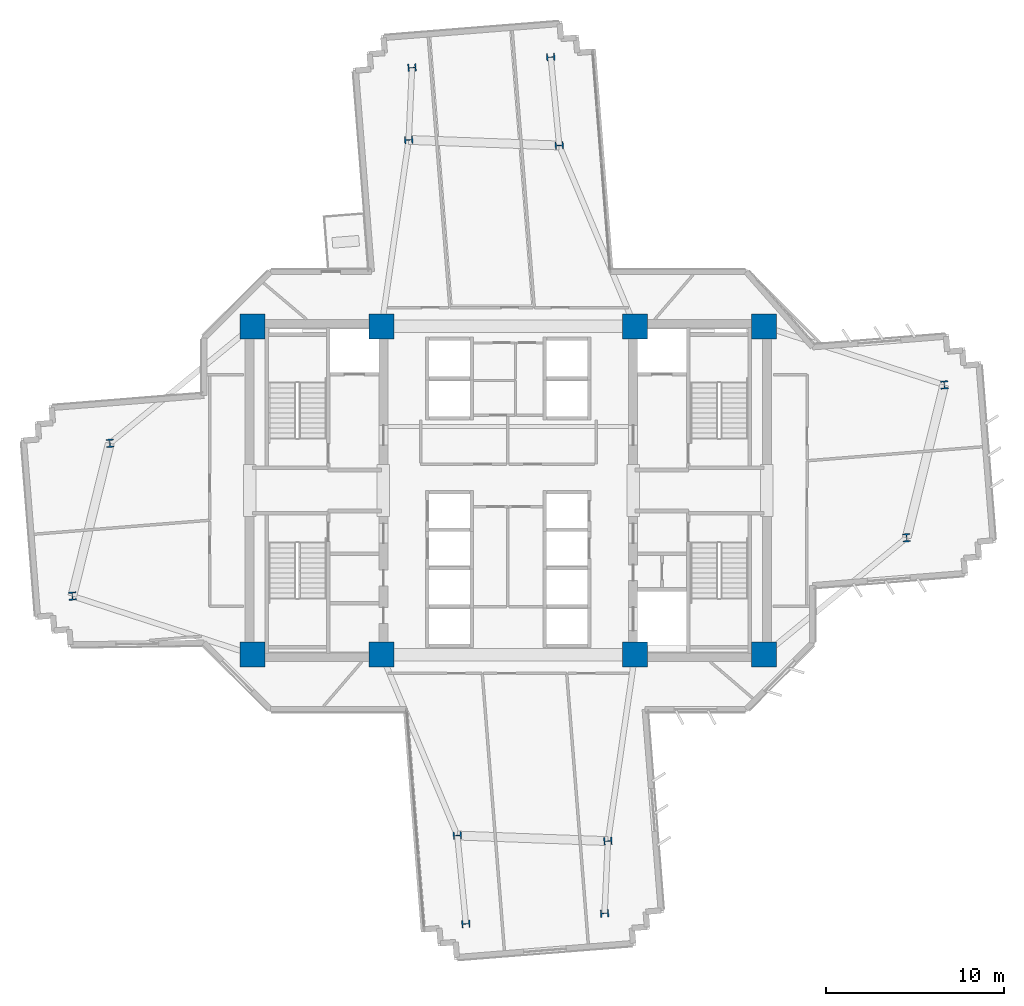
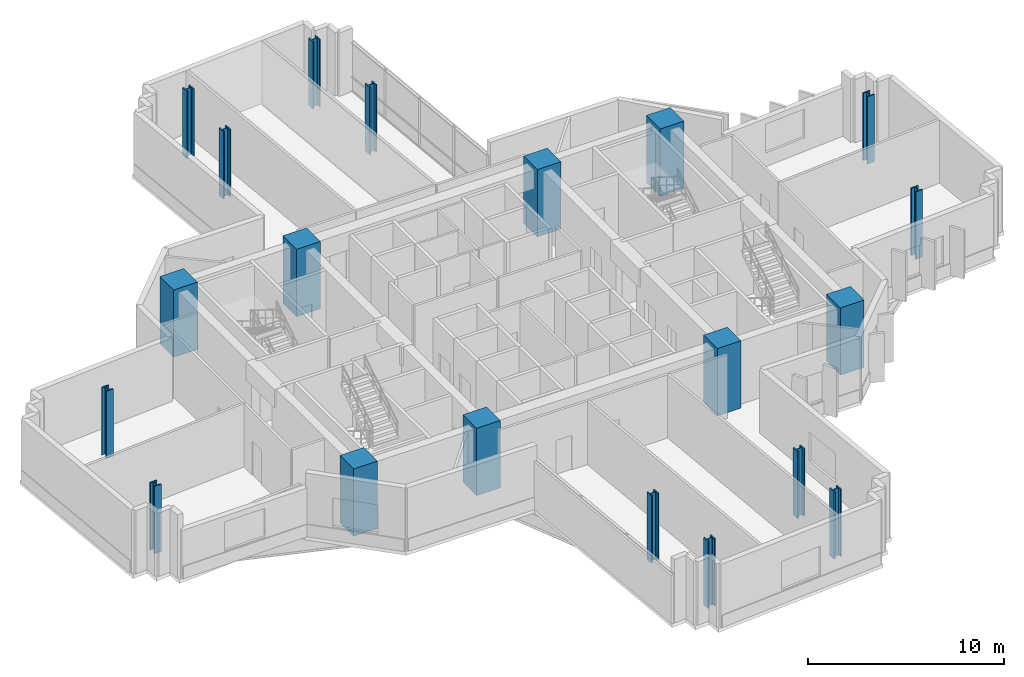
# One storey, part 1 of 15: 20 columns.
"""IFC4 building model written with IfcOpenShell, lengths in metres."""

from ifc_helpers import new_model, si_unit, direction, frame, origin, origin_2d, place, context, subcontext, project, spatial, rectangle, i_section, extrude, source, transform, mapped, material, material_profile, profile_set, type_object, element, save


model = new_model("IFC4")

# Units and contexts
model_context = context("Model", 3, precision=1e-05, world=origin(), true_north=direction((0.0, 1.0)))
body_context = subcontext(model_context, "Body", "Model", "MODEL_VIEW")
ifc_project = project(units=[si_unit("LENGTHUNIT", "METRE"), si_unit("AREAUNIT", "SQUARE_METRE"), si_unit("VOLUMEUNIT", "CUBIC_METRE"), si_unit("PLANEANGLEUNIT", "RADIAN"), si_unit("MASSUNIT", "GRAM", prefix="KILO")], contexts=[model_context])

# Site, building, storey
site_placement = place(None, origin())
site = spatial("IfcSite", under=ifc_project, at=site_placement, CompositionType="ELEMENT")
building_placement = place(site_placement, origin())
building = spatial("IfcBuilding", under=site, at=building_placement, Name="Zahravan Cultural Tower", CompositionType="ELEMENT")
storey_placement = place(building_placement, frame((0.0, 0.0, 79.5)))
storey = spatial("IfcBuildingStorey", under=building, at=storey_placement, Name="L17", CompositionType="ELEMENT", Elevation=79.5)

# Columns
ifc_material_1 = material(Name="Concrete C60/75", Category="concrete")
ifc_material_profile_1 = material_profile(ifc_material_1, rectangle(XDim=1.39990234375, YDim=1.39990234375, at=origin_2d()), Name="RC1400X1400")
ifc_profile_set_1 = profile_set([ifc_material_profile_1], Name="Concrete C60/75")
column_type_1 = type_object("IfcColumnType", Name="COL-RC1400", PredefinedType="COLUMN", material=ifc_profile_set_1)
shared_shape_1 = source(origin(), body_context, "Body", "SweptSolid", [
    extrude(rectangle(XDim=1.39990234375, YDim=1.39990234375, at=origin_2d()), origin(), (0.0, 0.0, 1.0), 4.199951171875),
])
for number, where, z_axis, x_axis, name in (
    (1, (21.64990234375, 17.800048828125, 0.0), (0.0, 0.0, 1.0), (1.0, 0.0, 0.0), "L17 Column CC-W1"),
    (2, (28.89990234375, 17.800048828125, 0.0), (0.0, 0.0, 1.0), (1.0, 0.0, 0.0), "L17 Column CC-W2"),
    (3, (21.64990234375, 36.199951171875, 0.0), (0.0, 0.0, 1.0), (1.0, 0.0, 0.0), "L17 Column CC-W3"),
    (4, (28.89990234375, 36.199951171875, 0.0), (0.0, 0.0, 1.0), (1.0, 0.0, 0.0), "L17 Column CC-W4"),
    (5, (43.10009765625, 17.800048828125, 0.0), (0.0, 0.0, 1.0), (1.0, 0.0, 0.0), "L17 Column CC-E1"),
    (6, (50.35009765625, 17.800048828125, 0.0), (0.0, 0.0, 1.0), (1.0, 0.0, 0.0), "L17 Column CC-E2"),
    (7, (43.10009765625, 36.199951171875, 0.0), (0.0, 0.0, 1.0), (1.0, 0.0, 0.0), "L17 Column CC-E3"),
    (8, (50.35009765625, 36.199951171875, 0.0), (0.0, 0.0, 1.0), (1.0, 0.0, 0.0), "L17 Column CC-E4"),
):
    element("IfcColumn", number, at=place(storey_placement, frame(where, z_axis=z_axis, x_axis=x_axis)), inside=storey, type_object=column_type_1, Name=name, PredefinedType="COLUMN", context=body_context, shape_type="MappedRepresentation", body=[
        mapped(shared_shape_1, transform((0.0, 0.0, 0.0), x_axis=(1.0, 0.0, 0.0), y_axis=(0.0, 1.0, 0.0), z_axis=(0.0, 0.0, 1.0), scale=1.0)),
    ])
ifc_material_2 = material(Name="Steel ASTM A992 Grade 50", Category="steel")
ifc_material_profile_2 = material_profile(ifc_material_2, i_section(OverallWidth=0.4208984375, OverallDepth=0.465087890625, WebThickness=0.044921875, FlangeThickness=0.072509765625, FilletRadius=0.01806640625, at=origin_2d()), Name="W14X398")
ifc_profile_set_2 = profile_set([ifc_material_profile_2], Name="Steel ASTM A992 Grade 50")
column_type_2 = type_object("IfcColumnType", Name="COL-W14X398", PredefinedType="COLUMN", material=ifc_profile_set_2)
shared_shape_2 = source(origin(), body_context, "Body", "SweptSolid", [
    extrude(i_section(OverallWidth=0.4208984375, OverallDepth=0.465087890625, WebThickness=0.044921875, FlangeThickness=0.072509765625, FilletRadius=0.01806640625, at=origin_2d()), origin(), (0.0, 0.0, 1.0), 4.199951171875),
])
for number, where, z_axis, x_axis, name in (
    (9, (58.339111328125, 24.351806640625, 0.0), (0.0, 0.0, 1.0), (0.99756405026, 0.069756473744, 0.0), "L17 Column Z1C-E1"),
    (10, (60.446533203125, 32.919677734375, 0.0), (0.0, 0.0, 1.0), (0.99756405026, 0.069756473744, 0.0), "L17 Column Z1C-E2"),
    (11, (38.857421875, 46.346435546875, 0.0), (0.0, 0.0, 1.0), (-0.069756473744, 0.99756405026, 0.0), "L17 Column Z1C-N1"),
    (12, (30.4150390625, 46.658203125, 0.0), (0.0, 0.0, 1.0), (-0.069756473744, 0.99756405026, 0.0), "L17 Column Z1C-N2"),
    (13, (13.660888671875, 29.648193359375, 0.0), (0.0, 0.0, 1.0), (0.99756405026, 0.069756473744, 0.0), "L17 Column Z1C-W1"),
    (14, (11.553466796875, 21.080322265625, 0.0), (0.0, 0.0, 1.0), (0.99756405026, 0.069756473744, 0.0), "L17 Column Z1C-W2"),
    (15, (33.142578125, 7.653564453125, 0.0), (0.0, 0.0, 1.0), (-0.069756473744, 0.99756405026, 0.0), "L17 Column Z1C-S1"),
    (16, (41.5849609375, 7.341796875, 0.0), (0.0, 0.0, 1.0), (-0.069756473744, 0.99756405026, 0.0), "L17 Column Z1C-S2"),
    (17, (38.379150390625, 51.29736328125, 0.0), (0.0, 0.0, 1.0), (-0.062790519529, 0.998026728428, 0.0), "L17 Column Z1T-N1"),
    (18, (30.6005859375, 50.707763671875, 0.0), (0.0, 0.0, 1.0), (-0.062790519529, 0.998026728428, 0.0), "L17 Column Z1T-N2"),
    (19, (33.620849609375, 2.70263671875, 0.0), (0.0, 0.0, 1.0), (-0.062790519529, 0.998026728428, 0.0), "L17 Column Z1T-S1"),
    (20, (41.3994140625, 3.292236328125, 0.0), (0.0, 0.0, 1.0), (-0.062790519529, 0.998026728428, 0.0), "L17 Column Z1T-S2"),
):
    element("IfcColumn", number, at=place(storey_placement, frame(where, z_axis=z_axis, x_axis=x_axis)), inside=storey, type_object=column_type_2, Name=name, PredefinedType="COLUMN", context=body_context, shape_type="MappedRepresentation", body=[
        mapped(shared_shape_2, transform((0.0, 0.0, 0.0), x_axis=(1.0, 0.0, 0.0), y_axis=(0.0, 1.0, 0.0), z_axis=(0.0, 0.0, 1.0), scale=1.0)),
    ])

save(model, "model.ifc")
